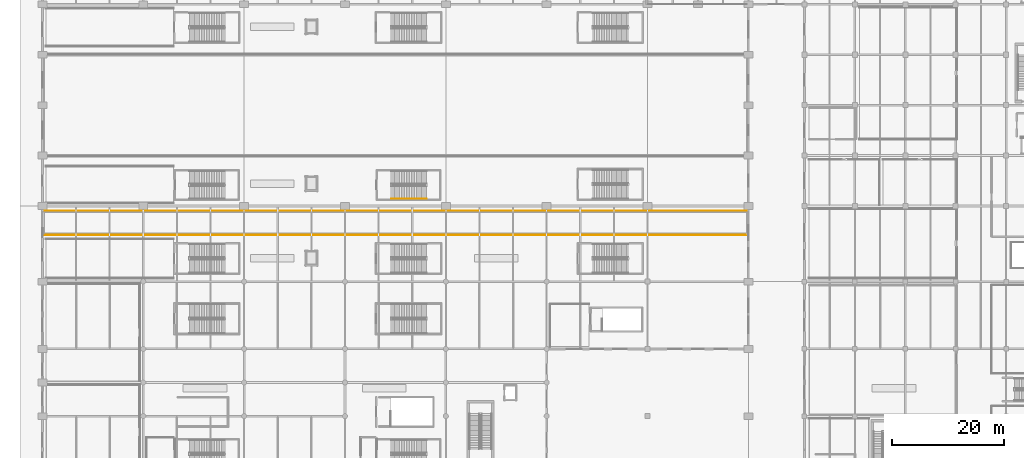
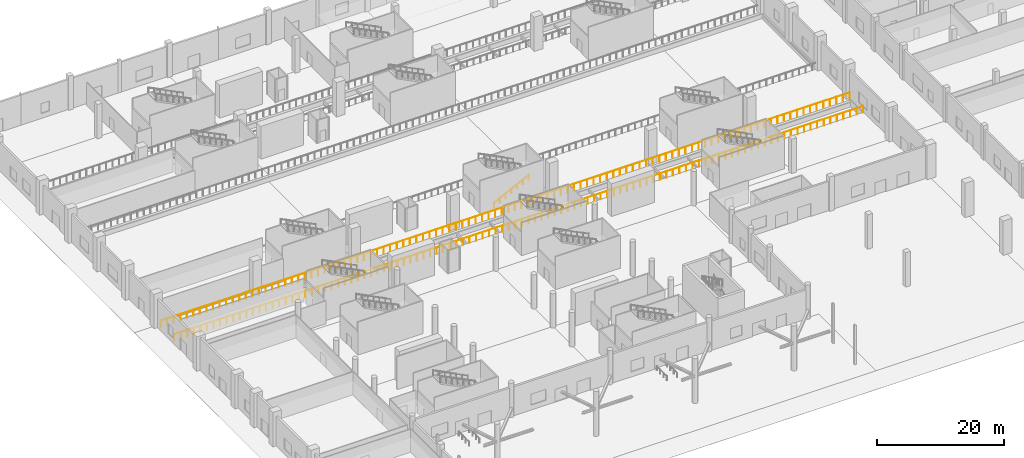
# One storey, part 48 of 65: 3 railings.
"""IFC4 building model written with IfcOpenShell, lengths in metres."""

from ifc_helpers import new_model, si_unit, direction, frame, origin, origin_2d, place, context, subcontext, project, spatial, circle, extrude, material, type_object, element, save


model = new_model("IFC4")

# Units and contexts
model_context = context("Model", 3, precision=1e-05, world=origin(), true_north=direction((0.0, 1.0)))
body_context = subcontext(model_context, "Body", "Model", "MODEL_VIEW")
ifc_project = project(units=[si_unit("LENGTHUNIT", "METRE"), si_unit("AREAUNIT", "SQUARE_METRE"), si_unit("VOLUMEUNIT", "CUBIC_METRE"), si_unit("PLANEANGLEUNIT", "RADIAN"), si_unit("MASSUNIT", "GRAM", prefix="KILO")], contexts=[model_context])

# Site, building, storey
site_placement = place(None, origin())
site = spatial("IfcSite", under=ifc_project, at=site_placement, CompositionType="ELEMENT")
building_placement = place(site_placement, origin())
building = spatial("IfcBuilding", under=site, at=building_placement, Name="Chuanluo Vaults Station", CompositionType="ELEMENT")
storey_placement = place(building_placement, origin())
storey = spatial("IfcBuildingStorey", under=building, at=storey_placement, Name="L00", CompositionType="ELEMENT", Elevation=0.0)

# Railings
ifc_material_1 = material(Name="Brushed stainless steel 304", Category="steel")
railing_type_1 = type_object("IfcRailingType", Name="RLG-HAND-900", PredefinedType="HANDRAIL", material=ifc_material_1)
railing_1_placement = place(storey_placement, frame((62.25, 68.800048828125, 0.14990234375)))
element("IfcRailing", 1, at=railing_1_placement, inside=storey, type_object=railing_type_1, Name="L00 ST-11 stair handrail 1", PredefinedType="HANDRAIL", context=body_context, shape_type="SweptSolid", body=[
    extrude(circle(Radius=0.02392578125, at=origin_2d()), frame((0.0, 0.0, 0.8759765625), z_axis=(0.894420258746, 0.0, 0.44722745974), x_axis=(0.0, 1.0, 0.0)), (0.0, 0.0, 1.0), 7.043701171875),
    extrude(circle(Radius=0.02099609375, at=origin_2d()), origin(), (0.0, 0.0, 1.0), 0.851806640625),
    extrude(circle(Radius=0.02099609375, at=origin_2d()), frame((1.050048828125, 0.0, 0.52490234375)), (0.0, 0.0, 1.0), 0.851806640625),
    extrude(circle(Radius=0.02099609375, at=origin_2d()), frame((2.10009765625, 0.0, 1.050048828125)), (0.0, 0.0, 1.0), 0.851806640625),
    extrude(circle(Radius=0.02099609375, at=origin_2d()), frame((3.14990234375, 0.0, 1.5751953125)), (0.0, 0.0, 1.0), 0.851806640625),
    extrude(circle(Radius=0.02099609375, at=origin_2d()), frame((4.199951171875, 0.0, 2.10009765625)), (0.0, 0.0, 1.0), 0.851806640625),
    extrude(circle(Radius=0.02099609375, at=origin_2d()), frame((5.25, 0.0, 2.625)), (0.0, 0.0, 1.0), 0.851806640625),
    extrude(circle(Radius=0.02099609375, at=origin_2d()), frame((6.300048828125, 0.0, 3.150146484375)), (0.0, 0.0, 1.0), 0.851806640625),
])
ifc_material_2 = material(Name="Tempered laminated balustrade glass", Category="glass")
railing_type_2 = type_object("IfcRailingType", Name="RLG-PLAT-1350", PredefinedType="GUARDRAIL", material=ifc_material_2)
railing_2_placement = place(storey_placement, frame((0.300048828125, 62.35009765625, 0.0)))
element("IfcRailing", 2, at=railing_2_placement, inside=storey, type_object=railing_type_2, Name="Platform edge safety screen balustrade PLAT1-N", PredefinedType="GUARDRAIL", context=body_context, shape_type="SweptSolid", body=[
    extrude(circle(Radius=0.02392578125, at=origin_2d()), frame((0.0, 0.0, 1.326171875), z_axis=(1.0, 0.0, 0.0), x_axis=(0.0, 1.0, 0.0)), (0.0, 0.0, 1.0), 125.39990234375),
    extrude(circle(Radius=0.02099609375, at=origin_2d()), origin(), (0.0, 0.0, 1.0), 1.302001953125),
    extrude(circle(Radius=0.02099609375, at=origin_2d()), frame((1.1943359375, 0.0, 0.0)), (0.0, 0.0, 1.0), 1.302001953125),
    extrude(circle(Radius=0.02099609375, at=origin_2d()), frame((2.388671875, 0.0, 0.0)), (0.0, 0.0, 1.0), 1.302001953125),
    extrude(circle(Radius=0.02099609375, at=origin_2d()), frame((3.582763671875, 0.0, 0.0)), (0.0, 0.0, 1.0), 1.302001953125),
    extrude(circle(Radius=0.02099609375, at=origin_2d()), frame((4.777099609375, 0.0, 0.0)), (0.0, 0.0, 1.0), 1.302001953125),
    extrude(circle(Radius=0.02099609375, at=origin_2d()), frame((5.971435546875, 0.0, 0.0)), (0.0, 0.0, 1.0), 1.302001953125),
    extrude(circle(Radius=0.02099609375, at=origin_2d()), frame((7.165771484375, 0.0, 0.0)), (0.0, 0.0, 1.0), 1.302001953125),
    extrude(circle(Radius=0.02099609375, at=origin_2d()), frame((8.360107421875, 0.0, 0.0)), (0.0, 0.0, 1.0), 1.302001953125),
    extrude(circle(Radius=0.02099609375, at=origin_2d()), frame((9.55419921875, 0.0, 0.0)), (0.0, 0.0, 1.0), 1.302001953125),
    extrude(circle(Radius=0.02099609375, at=origin_2d()), frame((10.74853515625, 0.0, 0.0)), (0.0, 0.0, 1.0), 1.302001953125),
    extrude(circle(Radius=0.02099609375, at=origin_2d()), frame((11.94287109375, 0.0, 0.0)), (0.0, 0.0, 1.0), 1.302001953125),
    extrude(circle(Radius=0.02099609375, at=origin_2d()), frame((13.13720703125, 0.0, 0.0)), (0.0, 0.0, 1.0), 1.302001953125),
    extrude(circle(Radius=0.02099609375, at=origin_2d()), frame((14.331298828125, 0.0, 0.0)), (0.0, 0.0, 1.0), 1.302001953125),
    extrude(circle(Radius=0.02099609375, at=origin_2d()), frame((15.525634765625, 0.0, 0.0)), (0.0, 0.0, 1.0), 1.302001953125),
    extrude(circle(Radius=0.02099609375, at=origin_2d()), frame((16.719970703125, 0.0, 0.0)), (0.0, 0.0, 1.0), 1.302001953125),
    extrude(circle(Radius=0.02099609375, at=origin_2d()), frame((17.914306640625, 0.0, 0.0)), (0.0, 0.0, 1.0), 1.302001953125),
    extrude(circle(Radius=0.02099609375, at=origin_2d()), frame((19.108642578125, 0.0, 0.0)), (0.0, 0.0, 1.0), 1.302001953125),
    extrude(circle(Radius=0.02099609375, at=origin_2d()), frame((20.302734375, 0.0, 0.0)), (0.0, 0.0, 1.0), 1.302001953125),
    extrude(circle(Radius=0.02099609375, at=origin_2d()), frame((21.4970703125, 0.0, 0.0)), (0.0, 0.0, 1.0), 1.302001953125),
    extrude(circle(Radius=0.02099609375, at=origin_2d()), frame((22.69140625, 0.0, 0.0)), (0.0, 0.0, 1.0), 1.302001953125),
    extrude(circle(Radius=0.02099609375, at=origin_2d()), frame((23.8857421875, 0.0, 0.0)), (0.0, 0.0, 1.0), 1.302001953125),
    extrude(circle(Radius=0.02099609375, at=origin_2d()), frame((25.080078125, 0.0, 0.0)), (0.0, 0.0, 1.0), 1.302001953125),
    extrude(circle(Radius=0.02099609375, at=origin_2d()), frame((26.274169921875, 0.0, 0.0)), (0.0, 0.0, 1.0), 1.302001953125),
    extrude(circle(Radius=0.02099609375, at=origin_2d()), frame((27.468505859375, 0.0, 0.0)), (0.0, 0.0, 1.0), 1.302001953125),
    extrude(circle(Radius=0.02099609375, at=origin_2d()), frame((28.662841796875, 0.0, 0.0)), (0.0, 0.0, 1.0), 1.302001953125),
    extrude(circle(Radius=0.02099609375, at=origin_2d()), frame((29.857177734375, 0.0, 0.0)), (0.0, 0.0, 1.0), 1.302001953125),
    extrude(circle(Radius=0.02099609375, at=origin_2d()), frame((31.051513671875, 0.0, 0.0)), (0.0, 0.0, 1.0), 1.302001953125),
    extrude(circle(Radius=0.02099609375, at=origin_2d()), frame((32.24560546875, 0.0, 0.0)), (0.0, 0.0, 1.0), 1.302001953125),
    extrude(circle(Radius=0.02099609375, at=origin_2d()), frame((33.43994140625, 0.0, 0.0)), (0.0, 0.0, 1.0), 1.302001953125),
    extrude(circle(Radius=0.02099609375, at=origin_2d()), frame((34.63427734375, 0.0, 0.0)), (0.0, 0.0, 1.0), 1.302001953125),
    extrude(circle(Radius=0.02099609375, at=origin_2d()), frame((35.82861328125, 0.0, 0.0)), (0.0, 0.0, 1.0), 1.302001953125),
    extrude(circle(Radius=0.02099609375, at=origin_2d()), frame((37.02294921875, 0.0, 0.0)), (0.0, 0.0, 1.0), 1.302001953125),
    extrude(circle(Radius=0.02099609375, at=origin_2d()), frame((38.217041015625, 0.0, 0.0)), (0.0, 0.0, 1.0), 1.302001953125),
    extrude(circle(Radius=0.02099609375, at=origin_2d()), frame((39.411376953125, 0.0, 0.0)), (0.0, 0.0, 1.0), 1.302001953125),
    extrude(circle(Radius=0.02099609375, at=origin_2d()), frame((40.605712890625, 0.0, 0.0)), (0.0, 0.0, 1.0), 1.302001953125),
    extrude(circle(Radius=0.02099609375, at=origin_2d()), frame((41.800048828125, 0.0, 0.0)), (0.0, 0.0, 1.0), 1.302001953125),
    extrude(circle(Radius=0.02099609375, at=origin_2d()), frame((42.994140625, 0.0, 0.0)), (0.0, 0.0, 1.0), 1.302001953125),
    extrude(circle(Radius=0.02099609375, at=origin_2d()), frame((44.1884765625, 0.0, 0.0)), (0.0, 0.0, 1.0), 1.302001953125),
    extrude(circle(Radius=0.02099609375, at=origin_2d()), frame((45.3828125, 0.0, 0.0)), (0.0, 0.0, 1.0), 1.302001953125),
    extrude(circle(Radius=0.02099609375, at=origin_2d()), frame((46.5771484375, 0.0, 0.0)), (0.0, 0.0, 1.0), 1.302001953125),
    extrude(circle(Radius=0.02099609375, at=origin_2d()), frame((47.771484375, 0.0, 0.0)), (0.0, 0.0, 1.0), 1.302001953125),
    extrude(circle(Radius=0.02099609375, at=origin_2d()), frame((48.965576171875, 0.0, 0.0)), (0.0, 0.0, 1.0), 1.302001953125),
    extrude(circle(Radius=0.02099609375, at=origin_2d()), frame((50.159912109375, 0.0, 0.0)), (0.0, 0.0, 1.0), 1.302001953125),
    extrude(circle(Radius=0.02099609375, at=origin_2d()), frame((51.354248046875, 0.0, 0.0)), (0.0, 0.0, 1.0), 1.302001953125),
    extrude(circle(Radius=0.02099609375, at=origin_2d()), frame((52.548583984375, 0.0, 0.0)), (0.0, 0.0, 1.0), 1.302001953125),
    extrude(circle(Radius=0.02099609375, at=origin_2d()), frame((53.742919921875, 0.0, 0.0)), (0.0, 0.0, 1.0), 1.302001953125),
    extrude(circle(Radius=0.02099609375, at=origin_2d()), frame((54.93701171875, 0.0, 0.0)), (0.0, 0.0, 1.0), 1.302001953125),
    extrude(circle(Radius=0.02099609375, at=origin_2d()), frame((56.13134765625, 0.0, 0.0)), (0.0, 0.0, 1.0), 1.302001953125),
    extrude(circle(Radius=0.02099609375, at=origin_2d()), frame((57.32568359375, 0.0, 0.0)), (0.0, 0.0, 1.0), 1.302001953125),
    extrude(circle(Radius=0.02099609375, at=origin_2d()), frame((58.52001953125, 0.0, 0.0)), (0.0, 0.0, 1.0), 1.302001953125),
    extrude(circle(Radius=0.02099609375, at=origin_2d()), frame((59.71435546875, 0.0, 0.0)), (0.0, 0.0, 1.0), 1.302001953125),
    extrude(circle(Radius=0.02099609375, at=origin_2d()), frame((60.908447265625, 0.0, 0.0)), (0.0, 0.0, 1.0), 1.302001953125),
    extrude(circle(Radius=0.02099609375, at=origin_2d()), frame((62.102783203125, 0.0, 0.0)), (0.0, 0.0, 1.0), 1.302001953125),
    extrude(circle(Radius=0.02099609375, at=origin_2d()), frame((63.297119140625, 0.0, 0.0)), (0.0, 0.0, 1.0), 1.302001953125),
    extrude(circle(Radius=0.02099609375, at=origin_2d()), frame((64.491455078125, 0.0, 0.0)), (0.0, 0.0, 1.0), 1.302001953125),
    extrude(circle(Radius=0.02099609375, at=origin_2d()), frame((65.685546875, 0.0, 0.0)), (0.0, 0.0, 1.0), 1.302001953125),
    extrude(circle(Radius=0.02099609375, at=origin_2d()), frame((66.8798828125, 0.0, 0.0)), (0.0, 0.0, 1.0), 1.302001953125),
    extrude(circle(Radius=0.02099609375, at=origin_2d()), frame((68.07421875, 0.0, 0.0)), (0.0, 0.0, 1.0), 1.302001953125),
    extrude(circle(Radius=0.02099609375, at=origin_2d()), frame((69.2685546875, 0.0, 0.0)), (0.0, 0.0, 1.0), 1.302001953125),
    extrude(circle(Radius=0.02099609375, at=origin_2d()), frame((70.462890625, 0.0, 0.0)), (0.0, 0.0, 1.0), 1.302001953125),
    extrude(circle(Radius=0.02099609375, at=origin_2d()), frame((71.656982421875, 0.0, 0.0)), (0.0, 0.0, 1.0), 1.302001953125),
    extrude(circle(Radius=0.02099609375, at=origin_2d()), frame((72.851318359375, 0.0, 0.0)), (0.0, 0.0, 1.0), 1.302001953125),
    extrude(circle(Radius=0.02099609375, at=origin_2d()), frame((74.045654296875, 0.0, 0.0)), (0.0, 0.0, 1.0), 1.302001953125),
    extrude(circle(Radius=0.02099609375, at=origin_2d()), frame((75.239990234375, 0.0, 0.0)), (0.0, 0.0, 1.0), 1.302001953125),
    extrude(circle(Radius=0.02099609375, at=origin_2d()), frame((76.434326171875, 0.0, 0.0)), (0.0, 0.0, 1.0), 1.302001953125),
    extrude(circle(Radius=0.02099609375, at=origin_2d()), frame((77.62841796875, 0.0, 0.0)), (0.0, 0.0, 1.0), 1.302001953125),
    extrude(circle(Radius=0.02099609375, at=origin_2d()), frame((78.82275390625, 0.0, 0.0)), (0.0, 0.0, 1.0), 1.302001953125),
    extrude(circle(Radius=0.02099609375, at=origin_2d()), frame((80.01708984375, 0.0, 0.0)), (0.0, 0.0, 1.0), 1.302001953125),
    extrude(circle(Radius=0.02099609375, at=origin_2d()), frame((81.21142578125, 0.0, 0.0)), (0.0, 0.0, 1.0), 1.302001953125),
    extrude(circle(Radius=0.02099609375, at=origin_2d()), frame((82.40576171875, 0.0, 0.0)), (0.0, 0.0, 1.0), 1.302001953125),
    extrude(circle(Radius=0.02099609375, at=origin_2d()), frame((83.599853515625, 0.0, 0.0)), (0.0, 0.0, 1.0), 1.302001953125),
    extrude(circle(Radius=0.02099609375, at=origin_2d()), frame((84.794189453125, 0.0, 0.0)), (0.0, 0.0, 1.0), 1.302001953125),
    extrude(circle(Radius=0.02099609375, at=origin_2d()), frame((85.988525390625, 0.0, 0.0)), (0.0, 0.0, 1.0), 1.302001953125),
    extrude(circle(Radius=0.02099609375, at=origin_2d()), frame((87.182861328125, 0.0, 0.0)), (0.0, 0.0, 1.0), 1.302001953125),
    extrude(circle(Radius=0.02099609375, at=origin_2d()), frame((88.376953125, 0.0, 0.0)), (0.0, 0.0, 1.0), 1.302001953125),
    extrude(circle(Radius=0.02099609375, at=origin_2d()), frame((89.5712890625, 0.0, 0.0)), (0.0, 0.0, 1.0), 1.302001953125),
    extrude(circle(Radius=0.02099609375, at=origin_2d()), frame((90.765625, 0.0, 0.0)), (0.0, 0.0, 1.0), 1.302001953125),
    extrude(circle(Radius=0.02099609375, at=origin_2d()), frame((91.9599609375, 0.0, 0.0)), (0.0, 0.0, 1.0), 1.302001953125),
    extrude(circle(Radius=0.02099609375, at=origin_2d()), frame((93.154296875, 0.0, 0.0)), (0.0, 0.0, 1.0), 1.302001953125),
    extrude(circle(Radius=0.02099609375, at=origin_2d()), frame((94.348388671875, 0.0, 0.0)), (0.0, 0.0, 1.0), 1.302001953125),
    extrude(circle(Radius=0.02099609375, at=origin_2d()), frame((95.542724609375, 0.0, 0.0)), (0.0, 0.0, 1.0), 1.302001953125),
    extrude(circle(Radius=0.02099609375, at=origin_2d()), frame((96.737060546875, 0.0, 0.0)), (0.0, 0.0, 1.0), 1.302001953125),
    extrude(circle(Radius=0.02099609375, at=origin_2d()), frame((97.931396484375, 0.0, 0.0)), (0.0, 0.0, 1.0), 1.302001953125),
    extrude(circle(Radius=0.02099609375, at=origin_2d()), frame((99.125732421875, 0.0, 0.0)), (0.0, 0.0, 1.0), 1.302001953125),
    extrude(circle(Radius=0.02099609375, at=origin_2d()), frame((100.31982421875, 0.0, 0.0)), (0.0, 0.0, 1.0), 1.302001953125),
    extrude(circle(Radius=0.02099609375, at=origin_2d()), frame((101.51416015625, 0.0, 0.0)), (0.0, 0.0, 1.0), 1.302001953125),
    extrude(circle(Radius=0.02099609375, at=origin_2d()), frame((102.70849609375, 0.0, 0.0)), (0.0, 0.0, 1.0), 1.302001953125),
    extrude(circle(Radius=0.02099609375, at=origin_2d()), frame((103.90283203125, 0.0, 0.0)), (0.0, 0.0, 1.0), 1.302001953125),
    extrude(circle(Radius=0.02099609375, at=origin_2d()), frame((105.09716796875, 0.0, 0.0)), (0.0, 0.0, 1.0), 1.302001953125),
    extrude(circle(Radius=0.02099609375, at=origin_2d()), frame((106.291259765625, 0.0, 0.0)), (0.0, 0.0, 1.0), 1.302001953125),
    extrude(circle(Radius=0.02099609375, at=origin_2d()), frame((107.485595703125, 0.0, 0.0)), (0.0, 0.0, 1.0), 1.302001953125),
    extrude(circle(Radius=0.02099609375, at=origin_2d()), frame((108.679931640625, 0.0, 0.0)), (0.0, 0.0, 1.0), 1.302001953125),
    extrude(circle(Radius=0.02099609375, at=origin_2d()), frame((109.874267578125, 0.0, 0.0)), (0.0, 0.0, 1.0), 1.302001953125),
    extrude(circle(Radius=0.02099609375, at=origin_2d()), frame((111.068603515625, 0.0, 0.0)), (0.0, 0.0, 1.0), 1.302001953125),
    extrude(circle(Radius=0.02099609375, at=origin_2d()), frame((112.2626953125, 0.0, 0.0)), (0.0, 0.0, 1.0), 1.302001953125),
    extrude(circle(Radius=0.02099609375, at=origin_2d()), frame((113.45703125, 0.0, 0.0)), (0.0, 0.0, 1.0), 1.302001953125),
    extrude(circle(Radius=0.02099609375, at=origin_2d()), frame((114.6513671875, 0.0, 0.0)), (0.0, 0.0, 1.0), 1.302001953125),
    extrude(circle(Radius=0.02099609375, at=origin_2d()), frame((115.845703125, 0.0, 0.0)), (0.0, 0.0, 1.0), 1.302001953125),
    extrude(circle(Radius=0.02099609375, at=origin_2d()), frame((117.039794921875, 0.0, 0.0)), (0.0, 0.0, 1.0), 1.302001953125),
    extrude(circle(Radius=0.02099609375, at=origin_2d()), frame((118.234130859375, 0.0, 0.0)), (0.0, 0.0, 1.0), 1.302001953125),
    extrude(circle(Radius=0.02099609375, at=origin_2d()), frame((119.428466796875, 0.0, 0.0)), (0.0, 0.0, 1.0), 1.302001953125),
    extrude(circle(Radius=0.02099609375, at=origin_2d()), frame((120.622802734375, 0.0, 0.0)), (0.0, 0.0, 1.0), 1.302001953125),
    extrude(circle(Radius=0.02099609375, at=origin_2d()), frame((121.817138671875, 0.0, 0.0)), (0.0, 0.0, 1.0), 1.302001953125),
    extrude(circle(Radius=0.02099609375, at=origin_2d()), frame((123.01123046875, 0.0, 0.0)), (0.0, 0.0, 1.0), 1.302001953125),
    extrude(circle(Radius=0.02099609375, at=origin_2d()), frame((124.20556640625, 0.0, 0.0)), (0.0, 0.0, 1.0), 1.302001953125),
    extrude(circle(Radius=0.02099609375, at=origin_2d()), frame((125.39990234375, 0.0, 0.0)), (0.0, 0.0, 1.0), 1.302001953125),
])
railing_3_placement = place(storey_placement, frame((0.300048828125, 66.64990234375, 0.0)))
element("IfcRailing", 3, at=railing_3_placement, inside=storey, type_object=railing_type_2, Name="Platform edge safety screen balustrade PLAT2-S", PredefinedType="GUARDRAIL", context=body_context, shape_type="SweptSolid", body=[
    extrude(circle(Radius=0.02392578125, at=origin_2d()), frame((0.0, 0.0, 1.326171875), z_axis=(1.0, 0.0, 0.0), x_axis=(0.0, 1.0, 0.0)), (0.0, 0.0, 1.0), 125.39990234375),
    extrude(circle(Radius=0.02099609375, at=origin_2d()), origin(), (0.0, 0.0, 1.0), 1.302001953125),
    extrude(circle(Radius=0.02099609375, at=origin_2d()), frame((1.1943359375, 0.0, 0.0)), (0.0, 0.0, 1.0), 1.302001953125),
    extrude(circle(Radius=0.02099609375, at=origin_2d()), frame((2.388671875, 0.0, 0.0)), (0.0, 0.0, 1.0), 1.302001953125),
    extrude(circle(Radius=0.02099609375, at=origin_2d()), frame((3.582763671875, 0.0, 0.0)), (0.0, 0.0, 1.0), 1.302001953125),
    extrude(circle(Radius=0.02099609375, at=origin_2d()), frame((4.777099609375, 0.0, 0.0)), (0.0, 0.0, 1.0), 1.302001953125),
    extrude(circle(Radius=0.02099609375, at=origin_2d()), frame((5.971435546875, 0.0, 0.0)), (0.0, 0.0, 1.0), 1.302001953125),
    extrude(circle(Radius=0.02099609375, at=origin_2d()), frame((7.165771484375, 0.0, 0.0)), (0.0, 0.0, 1.0), 1.302001953125),
    extrude(circle(Radius=0.02099609375, at=origin_2d()), frame((8.360107421875, 0.0, 0.0)), (0.0, 0.0, 1.0), 1.302001953125),
    extrude(circle(Radius=0.02099609375, at=origin_2d()), frame((9.55419921875, 0.0, 0.0)), (0.0, 0.0, 1.0), 1.302001953125),
    extrude(circle(Radius=0.02099609375, at=origin_2d()), frame((10.74853515625, 0.0, 0.0)), (0.0, 0.0, 1.0), 1.302001953125),
    extrude(circle(Radius=0.02099609375, at=origin_2d()), frame((11.94287109375, 0.0, 0.0)), (0.0, 0.0, 1.0), 1.302001953125),
    extrude(circle(Radius=0.02099609375, at=origin_2d()), frame((13.13720703125, 0.0, 0.0)), (0.0, 0.0, 1.0), 1.302001953125),
    extrude(circle(Radius=0.02099609375, at=origin_2d()), frame((14.331298828125, 0.0, 0.0)), (0.0, 0.0, 1.0), 1.302001953125),
    extrude(circle(Radius=0.02099609375, at=origin_2d()), frame((15.525634765625, 0.0, 0.0)), (0.0, 0.0, 1.0), 1.302001953125),
    extrude(circle(Radius=0.02099609375, at=origin_2d()), frame((16.719970703125, 0.0, 0.0)), (0.0, 0.0, 1.0), 1.302001953125),
    extrude(circle(Radius=0.02099609375, at=origin_2d()), frame((17.914306640625, 0.0, 0.0)), (0.0, 0.0, 1.0), 1.302001953125),
    extrude(circle(Radius=0.02099609375, at=origin_2d()), frame((19.108642578125, 0.0, 0.0)), (0.0, 0.0, 1.0), 1.302001953125),
    extrude(circle(Radius=0.02099609375, at=origin_2d()), frame((20.302734375, 0.0, 0.0)), (0.0, 0.0, 1.0), 1.302001953125),
    extrude(circle(Radius=0.02099609375, at=origin_2d()), frame((21.4970703125, 0.0, 0.0)), (0.0, 0.0, 1.0), 1.302001953125),
    extrude(circle(Radius=0.02099609375, at=origin_2d()), frame((22.69140625, 0.0, 0.0)), (0.0, 0.0, 1.0), 1.302001953125),
    extrude(circle(Radius=0.02099609375, at=origin_2d()), frame((23.8857421875, 0.0, 0.0)), (0.0, 0.0, 1.0), 1.302001953125),
    extrude(circle(Radius=0.02099609375, at=origin_2d()), frame((25.080078125, 0.0, 0.0)), (0.0, 0.0, 1.0), 1.302001953125),
    extrude(circle(Radius=0.02099609375, at=origin_2d()), frame((26.274169921875, 0.0, 0.0)), (0.0, 0.0, 1.0), 1.302001953125),
    extrude(circle(Radius=0.02099609375, at=origin_2d()), frame((27.468505859375, 0.0, 0.0)), (0.0, 0.0, 1.0), 1.302001953125),
    extrude(circle(Radius=0.02099609375, at=origin_2d()), frame((28.662841796875, 0.0, 0.0)), (0.0, 0.0, 1.0), 1.302001953125),
    extrude(circle(Radius=0.02099609375, at=origin_2d()), frame((29.857177734375, 0.0, 0.0)), (0.0, 0.0, 1.0), 1.302001953125),
    extrude(circle(Radius=0.02099609375, at=origin_2d()), frame((31.051513671875, 0.0, 0.0)), (0.0, 0.0, 1.0), 1.302001953125),
    extrude(circle(Radius=0.02099609375, at=origin_2d()), frame((32.24560546875, 0.0, 0.0)), (0.0, 0.0, 1.0), 1.302001953125),
    extrude(circle(Radius=0.02099609375, at=origin_2d()), frame((33.43994140625, 0.0, 0.0)), (0.0, 0.0, 1.0), 1.302001953125),
    extrude(circle(Radius=0.02099609375, at=origin_2d()), frame((34.63427734375, 0.0, 0.0)), (0.0, 0.0, 1.0), 1.302001953125),
    extrude(circle(Radius=0.02099609375, at=origin_2d()), frame((35.82861328125, 0.0, 0.0)), (0.0, 0.0, 1.0), 1.302001953125),
    extrude(circle(Radius=0.02099609375, at=origin_2d()), frame((37.02294921875, 0.0, 0.0)), (0.0, 0.0, 1.0), 1.302001953125),
    extrude(circle(Radius=0.02099609375, at=origin_2d()), frame((38.217041015625, 0.0, 0.0)), (0.0, 0.0, 1.0), 1.302001953125),
    extrude(circle(Radius=0.02099609375, at=origin_2d()), frame((39.411376953125, 0.0, 0.0)), (0.0, 0.0, 1.0), 1.302001953125),
    extrude(circle(Radius=0.02099609375, at=origin_2d()), frame((40.605712890625, 0.0, 0.0)), (0.0, 0.0, 1.0), 1.302001953125),
    extrude(circle(Radius=0.02099609375, at=origin_2d()), frame((41.800048828125, 0.0, 0.0)), (0.0, 0.0, 1.0), 1.302001953125),
    extrude(circle(Radius=0.02099609375, at=origin_2d()), frame((42.994140625, 0.0, 0.0)), (0.0, 0.0, 1.0), 1.302001953125),
    extrude(circle(Radius=0.02099609375, at=origin_2d()), frame((44.1884765625, 0.0, 0.0)), (0.0, 0.0, 1.0), 1.302001953125),
    extrude(circle(Radius=0.02099609375, at=origin_2d()), frame((45.3828125, 0.0, 0.0)), (0.0, 0.0, 1.0), 1.302001953125),
    extrude(circle(Radius=0.02099609375, at=origin_2d()), frame((46.5771484375, 0.0, 0.0)), (0.0, 0.0, 1.0), 1.302001953125),
    extrude(circle(Radius=0.02099609375, at=origin_2d()), frame((47.771484375, 0.0, 0.0)), (0.0, 0.0, 1.0), 1.302001953125),
    extrude(circle(Radius=0.02099609375, at=origin_2d()), frame((48.965576171875, 0.0, 0.0)), (0.0, 0.0, 1.0), 1.302001953125),
    extrude(circle(Radius=0.02099609375, at=origin_2d()), frame((50.159912109375, 0.0, 0.0)), (0.0, 0.0, 1.0), 1.302001953125),
    extrude(circle(Radius=0.02099609375, at=origin_2d()), frame((51.354248046875, 0.0, 0.0)), (0.0, 0.0, 1.0), 1.302001953125),
    extrude(circle(Radius=0.02099609375, at=origin_2d()), frame((52.548583984375, 0.0, 0.0)), (0.0, 0.0, 1.0), 1.302001953125),
    extrude(circle(Radius=0.02099609375, at=origin_2d()), frame((53.742919921875, 0.0, 0.0)), (0.0, 0.0, 1.0), 1.302001953125),
    extrude(circle(Radius=0.02099609375, at=origin_2d()), frame((54.93701171875, 0.0, 0.0)), (0.0, 0.0, 1.0), 1.302001953125),
    extrude(circle(Radius=0.02099609375, at=origin_2d()), frame((56.13134765625, 0.0, 0.0)), (0.0, 0.0, 1.0), 1.302001953125),
    extrude(circle(Radius=0.02099609375, at=origin_2d()), frame((57.32568359375, 0.0, 0.0)), (0.0, 0.0, 1.0), 1.302001953125),
    extrude(circle(Radius=0.02099609375, at=origin_2d()), frame((58.52001953125, 0.0, 0.0)), (0.0, 0.0, 1.0), 1.302001953125),
    extrude(circle(Radius=0.02099609375, at=origin_2d()), frame((59.71435546875, 0.0, 0.0)), (0.0, 0.0, 1.0), 1.302001953125),
    extrude(circle(Radius=0.02099609375, at=origin_2d()), frame((60.908447265625, 0.0, 0.0)), (0.0, 0.0, 1.0), 1.302001953125),
    extrude(circle(Radius=0.02099609375, at=origin_2d()), frame((62.102783203125, 0.0, 0.0)), (0.0, 0.0, 1.0), 1.302001953125),
    extrude(circle(Radius=0.02099609375, at=origin_2d()), frame((63.297119140625, 0.0, 0.0)), (0.0, 0.0, 1.0), 1.302001953125),
    extrude(circle(Radius=0.02099609375, at=origin_2d()), frame((64.491455078125, 0.0, 0.0)), (0.0, 0.0, 1.0), 1.302001953125),
    extrude(circle(Radius=0.02099609375, at=origin_2d()), frame((65.685546875, 0.0, 0.0)), (0.0, 0.0, 1.0), 1.302001953125),
    extrude(circle(Radius=0.02099609375, at=origin_2d()), frame((66.8798828125, 0.0, 0.0)), (0.0, 0.0, 1.0), 1.302001953125),
    extrude(circle(Radius=0.02099609375, at=origin_2d()), frame((68.07421875, 0.0, 0.0)), (0.0, 0.0, 1.0), 1.302001953125),
    extrude(circle(Radius=0.02099609375, at=origin_2d()), frame((69.2685546875, 0.0, 0.0)), (0.0, 0.0, 1.0), 1.302001953125),
    extrude(circle(Radius=0.02099609375, at=origin_2d()), frame((70.462890625, 0.0, 0.0)), (0.0, 0.0, 1.0), 1.302001953125),
    extrude(circle(Radius=0.02099609375, at=origin_2d()), frame((71.656982421875, 0.0, 0.0)), (0.0, 0.0, 1.0), 1.302001953125),
    extrude(circle(Radius=0.02099609375, at=origin_2d()), frame((72.851318359375, 0.0, 0.0)), (0.0, 0.0, 1.0), 1.302001953125),
    extrude(circle(Radius=0.02099609375, at=origin_2d()), frame((74.045654296875, 0.0, 0.0)), (0.0, 0.0, 1.0), 1.302001953125),
    extrude(circle(Radius=0.02099609375, at=origin_2d()), frame((75.239990234375, 0.0, 0.0)), (0.0, 0.0, 1.0), 1.302001953125),
    extrude(circle(Radius=0.02099609375, at=origin_2d()), frame((76.434326171875, 0.0, 0.0)), (0.0, 0.0, 1.0), 1.302001953125),
    extrude(circle(Radius=0.02099609375, at=origin_2d()), frame((77.62841796875, 0.0, 0.0)), (0.0, 0.0, 1.0), 1.302001953125),
    extrude(circle(Radius=0.02099609375, at=origin_2d()), frame((78.82275390625, 0.0, 0.0)), (0.0, 0.0, 1.0), 1.302001953125),
    extrude(circle(Radius=0.02099609375, at=origin_2d()), frame((80.01708984375, 0.0, 0.0)), (0.0, 0.0, 1.0), 1.302001953125),
    extrude(circle(Radius=0.02099609375, at=origin_2d()), frame((81.21142578125, 0.0, 0.0)), (0.0, 0.0, 1.0), 1.302001953125),
    extrude(circle(Radius=0.02099609375, at=origin_2d()), frame((82.40576171875, 0.0, 0.0)), (0.0, 0.0, 1.0), 1.302001953125),
    extrude(circle(Radius=0.02099609375, at=origin_2d()), frame((83.599853515625, 0.0, 0.0)), (0.0, 0.0, 1.0), 1.302001953125),
    extrude(circle(Radius=0.02099609375, at=origin_2d()), frame((84.794189453125, 0.0, 0.0)), (0.0, 0.0, 1.0), 1.302001953125),
    extrude(circle(Radius=0.02099609375, at=origin_2d()), frame((85.988525390625, 0.0, 0.0)), (0.0, 0.0, 1.0), 1.302001953125),
    extrude(circle(Radius=0.02099609375, at=origin_2d()), frame((87.182861328125, 0.0, 0.0)), (0.0, 0.0, 1.0), 1.302001953125),
    extrude(circle(Radius=0.02099609375, at=origin_2d()), frame((88.376953125, 0.0, 0.0)), (0.0, 0.0, 1.0), 1.302001953125),
    extrude(circle(Radius=0.02099609375, at=origin_2d()), frame((89.5712890625, 0.0, 0.0)), (0.0, 0.0, 1.0), 1.302001953125),
    extrude(circle(Radius=0.02099609375, at=origin_2d()), frame((90.765625, 0.0, 0.0)), (0.0, 0.0, 1.0), 1.302001953125),
    extrude(circle(Radius=0.02099609375, at=origin_2d()), frame((91.9599609375, 0.0, 0.0)), (0.0, 0.0, 1.0), 1.302001953125),
    extrude(circle(Radius=0.02099609375, at=origin_2d()), frame((93.154296875, 0.0, 0.0)), (0.0, 0.0, 1.0), 1.302001953125),
    extrude(circle(Radius=0.02099609375, at=origin_2d()), frame((94.348388671875, 0.0, 0.0)), (0.0, 0.0, 1.0), 1.302001953125),
    extrude(circle(Radius=0.02099609375, at=origin_2d()), frame((95.542724609375, 0.0, 0.0)), (0.0, 0.0, 1.0), 1.302001953125),
    extrude(circle(Radius=0.02099609375, at=origin_2d()), frame((96.737060546875, 0.0, 0.0)), (0.0, 0.0, 1.0), 1.302001953125),
    extrude(circle(Radius=0.02099609375, at=origin_2d()), frame((97.931396484375, 0.0, 0.0)), (0.0, 0.0, 1.0), 1.302001953125),
    extrude(circle(Radius=0.02099609375, at=origin_2d()), frame((99.125732421875, 0.0, 0.0)), (0.0, 0.0, 1.0), 1.302001953125),
    extrude(circle(Radius=0.02099609375, at=origin_2d()), frame((100.31982421875, 0.0, 0.0)), (0.0, 0.0, 1.0), 1.302001953125),
    extrude(circle(Radius=0.02099609375, at=origin_2d()), frame((101.51416015625, 0.0, 0.0)), (0.0, 0.0, 1.0), 1.302001953125),
    extrude(circle(Radius=0.02099609375, at=origin_2d()), frame((102.70849609375, 0.0, 0.0)), (0.0, 0.0, 1.0), 1.302001953125),
    extrude(circle(Radius=0.02099609375, at=origin_2d()), frame((103.90283203125, 0.0, 0.0)), (0.0, 0.0, 1.0), 1.302001953125),
    extrude(circle(Radius=0.02099609375, at=origin_2d()), frame((105.09716796875, 0.0, 0.0)), (0.0, 0.0, 1.0), 1.302001953125),
    extrude(circle(Radius=0.02099609375, at=origin_2d()), frame((106.291259765625, 0.0, 0.0)), (0.0, 0.0, 1.0), 1.302001953125),
    extrude(circle(Radius=0.02099609375, at=origin_2d()), frame((107.485595703125, 0.0, 0.0)), (0.0, 0.0, 1.0), 1.302001953125),
    extrude(circle(Radius=0.02099609375, at=origin_2d()), frame((108.679931640625, 0.0, 0.0)), (0.0, 0.0, 1.0), 1.302001953125),
    extrude(circle(Radius=0.02099609375, at=origin_2d()), frame((109.874267578125, 0.0, 0.0)), (0.0, 0.0, 1.0), 1.302001953125),
    extrude(circle(Radius=0.02099609375, at=origin_2d()), frame((111.068603515625, 0.0, 0.0)), (0.0, 0.0, 1.0), 1.302001953125),
    extrude(circle(Radius=0.02099609375, at=origin_2d()), frame((112.2626953125, 0.0, 0.0)), (0.0, 0.0, 1.0), 1.302001953125),
    extrude(circle(Radius=0.02099609375, at=origin_2d()), frame((113.45703125, 0.0, 0.0)), (0.0, 0.0, 1.0), 1.302001953125),
    extrude(circle(Radius=0.02099609375, at=origin_2d()), frame((114.6513671875, 0.0, 0.0)), (0.0, 0.0, 1.0), 1.302001953125),
    extrude(circle(Radius=0.02099609375, at=origin_2d()), frame((115.845703125, 0.0, 0.0)), (0.0, 0.0, 1.0), 1.302001953125),
    extrude(circle(Radius=0.02099609375, at=origin_2d()), frame((117.039794921875, 0.0, 0.0)), (0.0, 0.0, 1.0), 1.302001953125),
    extrude(circle(Radius=0.02099609375, at=origin_2d()), frame((118.234130859375, 0.0, 0.0)), (0.0, 0.0, 1.0), 1.302001953125),
    extrude(circle(Radius=0.02099609375, at=origin_2d()), frame((119.428466796875, 0.0, 0.0)), (0.0, 0.0, 1.0), 1.302001953125),
    extrude(circle(Radius=0.02099609375, at=origin_2d()), frame((120.622802734375, 0.0, 0.0)), (0.0, 0.0, 1.0), 1.302001953125),
    extrude(circle(Radius=0.02099609375, at=origin_2d()), frame((121.817138671875, 0.0, 0.0)), (0.0, 0.0, 1.0), 1.302001953125),
    extrude(circle(Radius=0.02099609375, at=origin_2d()), frame((123.01123046875, 0.0, 0.0)), (0.0, 0.0, 1.0), 1.302001953125),
    extrude(circle(Radius=0.02099609375, at=origin_2d()), frame((124.20556640625, 0.0, 0.0)), (0.0, 0.0, 1.0), 1.302001953125),
    extrude(circle(Radius=0.02099609375, at=origin_2d()), frame((125.39990234375, 0.0, 0.0)), (0.0, 0.0, 1.0), 1.302001953125),
])

save(model, "model.ifc")
